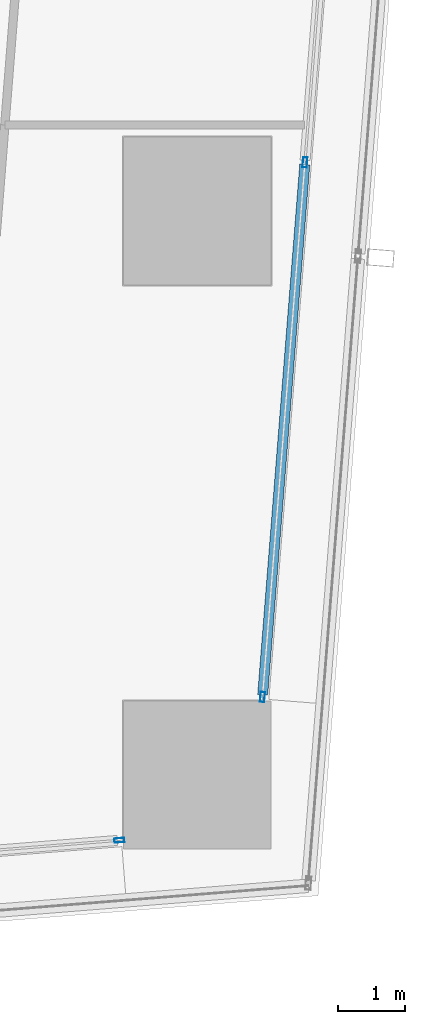
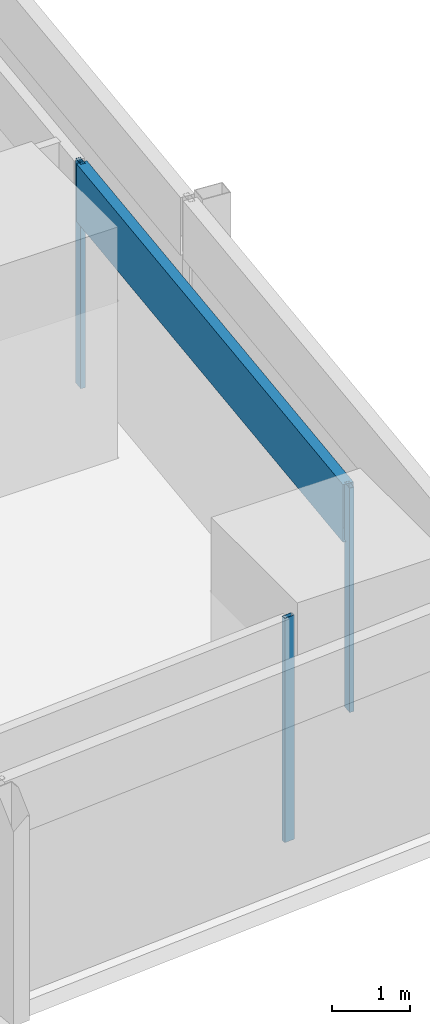
# One storey, part 12 of 45: 4 members, 2 elements without a shape of their own.
"""IFC4 building model written with IfcOpenShell, lengths in metres."""

from ifc_helpers import new_model, si_unit, direction, frame, origin, origin_2d, place, context, subcontext, project, spatial, hollow_rectangle, extrude, material, material_profile, profile_set, type_object, element, aggregate, save


model = new_model("IFC4")

# Units and contexts
model_context = context("Model", 3, precision=1e-05, world=origin(), true_north=direction((0.0, 1.0)))
body_context = subcontext(model_context, "Body", "Model", "MODEL_VIEW")
ifc_project = project(units=[si_unit("LENGTHUNIT", "METRE"), si_unit("AREAUNIT", "SQUARE_METRE"), si_unit("VOLUMEUNIT", "CUBIC_METRE"), si_unit("PLANEANGLEUNIT", "RADIAN"), si_unit("MASSUNIT", "GRAM", prefix="KILO")], contexts=[model_context])

# Site, building, storey
site_placement = place(None, origin())
site = spatial("IfcSite", under=ifc_project, at=site_placement, CompositionType="ELEMENT")
building_placement = place(site_placement, origin())
building = spatial("IfcBuilding", under=site, at=building_placement, Name="Rekha Terrace Tower", CompositionType="ELEMENT")
storey_placement = place(building_placement, frame((0.0, 0.0, 32.89990234375)))
storey = spatial("IfcBuildingStorey", under=building, at=storey_placement, Name="L07", CompositionType="ELEMENT", Elevation=32.89990234375)

# Curtain wall, member
ifc_material_1 = material(Name="Aluminium framing", Category="aluminium")
curtain_wall_type = type_object("IfcCurtainWallType", Name="CW1 double skin inner glazing", PredefinedType="USERDEFINED", material=ifc_material_1)
curtain_wall_1_placement = place(storey_placement, origin())
curtain_wall_1 = element("IfcCurtainWall", 1, at=curtain_wall_1_placement, inside=storey, type_object=curtain_wall_type, Name="CW1 double skin inner glazing", ObjectType="DOUBLE SKIN INNER GLAZING", PredefinedType="USERDEFINED")
ifc_material_2 = material(Name="Aluminium mullion section", Category="aluminium")
ifc_material_profile_1 = material_profile(ifc_material_2, hollow_rectangle(XDim=0.06494140625, YDim=0.14990234375, WallThickness=0.00390625, at=origin_2d()), Name="AL RHS 65x150")
ifc_profile_set_1 = profile_set([ifc_material_profile_1], Name="Aluminium mullion section")
member_type_1 = type_object("IfcMemberType", Name="CW1 mullion RHS 65 x 150", PredefinedType="MULLION", material=ifc_profile_set_1)
member_1_placement = place(storey_placement, frame((66.0400390625, 7.42626953125, 0.0), z_axis=(0.0, 0.0, 1.0), x_axis=(-0.079872204468, 0.996805111821, 0.0)))
member_1 = element("IfcMember", 2, at=member_1_placement, type_object=member_type_1, Name="CW1 mullion 3", PredefinedType="MULLION", context=body_context, shape_type="SweptSolid", body=[
    extrude(hollow_rectangle(XDim=0.06494140625, YDim=0.14990234375, WallThickness=0.00390625, at=origin_2d()), origin(), (0.0, 0.0, 1.0), 3.5),
])
aggregate(curtain_wall_1, [member_1])

# Curtain wall, members
curtain_wall_2_placement = place(storey_placement, origin())
curtain_wall_2 = element("IfcCurtainWall", 3, at=curtain_wall_2_placement, inside=storey, type_object=curtain_wall_type, Name="CW1 double skin inner glazing", ObjectType="DOUBLE SKIN INNER GLAZING", PredefinedType="USERDEFINED")
member_2_placement = place(storey_placement, frame((68.171630859375, 9.559814453125, 0.0), z_axis=(0.0, 0.0, 1.0), x_axis=(-0.996865392576, 0.079116301, 0.0)))
member_2 = element("IfcMember", 4, at=member_2_placement, type_object=member_type_1, Name="CW1 mullion 1", PredefinedType="MULLION", context=body_context, shape_type="SweptSolid", body=[
    extrude(hollow_rectangle(XDim=0.06494140625, YDim=0.14990234375, WallThickness=0.00390625, at=origin_2d()), origin(), (0.0, 0.0, 1.0), 3.5),
])
member_3_placement = place(storey_placement, frame((68.8037109375, 17.5234375, 0.0), z_axis=(0.0, 0.0, 1.0), x_axis=(-0.996865392576, 0.079116301, 0.0)))
member_3 = element("IfcMember", 5, at=member_3_placement, type_object=member_type_1, Name="CW1 mullion 2", PredefinedType="MULLION", context=body_context, shape_type="SweptSolid", body=[
    extrude(hollow_rectangle(XDim=0.06494140625, YDim=0.14990234375, WallThickness=0.00390625, at=origin_2d()), origin(), (0.0, 0.0, 1.0), 3.5),
])
ifc_material_3 = material(Name="Insulated aluminium spandrel box", Category="aluminium")
ifc_material_profile_2 = material_profile(ifc_material_3, hollow_rectangle(XDim=0.14990234375, YDim=0.89990234375, WallThickness=0.0029296875, at=origin_2d()), Name="AL SPANDREL BOX 150x900")
ifc_profile_set_2 = profile_set([ifc_material_profile_2], Name="Insulated aluminium spandrel box")
member_type_2 = type_object("IfcMemberType", Name="CW1 spandrel transom 150 x 900", PredefinedType="USERDEFINED", material=ifc_profile_set_2)
member_4_placement = place(storey_placement, frame((68.174072265625, 9.59228515625, 3.050048828125), z_axis=(0.079125535375, 0.996864659646, 0.0), x_axis=(-0.996864659646, 0.079125535375, 0.0)))
member_4 = element("IfcMember", 6, at=member_4_placement, type_object=member_type_2, Name="CW1 spandrel transom 1", ObjectType="TRANSOM", PredefinedType="USERDEFINED", context=body_context, shape_type="SweptSolid", body=[
    extrude(hollow_rectangle(XDim=0.14990234375, YDim=0.89990234375, WallThickness=0.0029296875, at=origin_2d()), origin(), (0.0, 0.0, 1.0), 7.923583984375),
])
aggregate(curtain_wall_2, [member_2, member_3, member_4])

save(model, "model.ifc")
